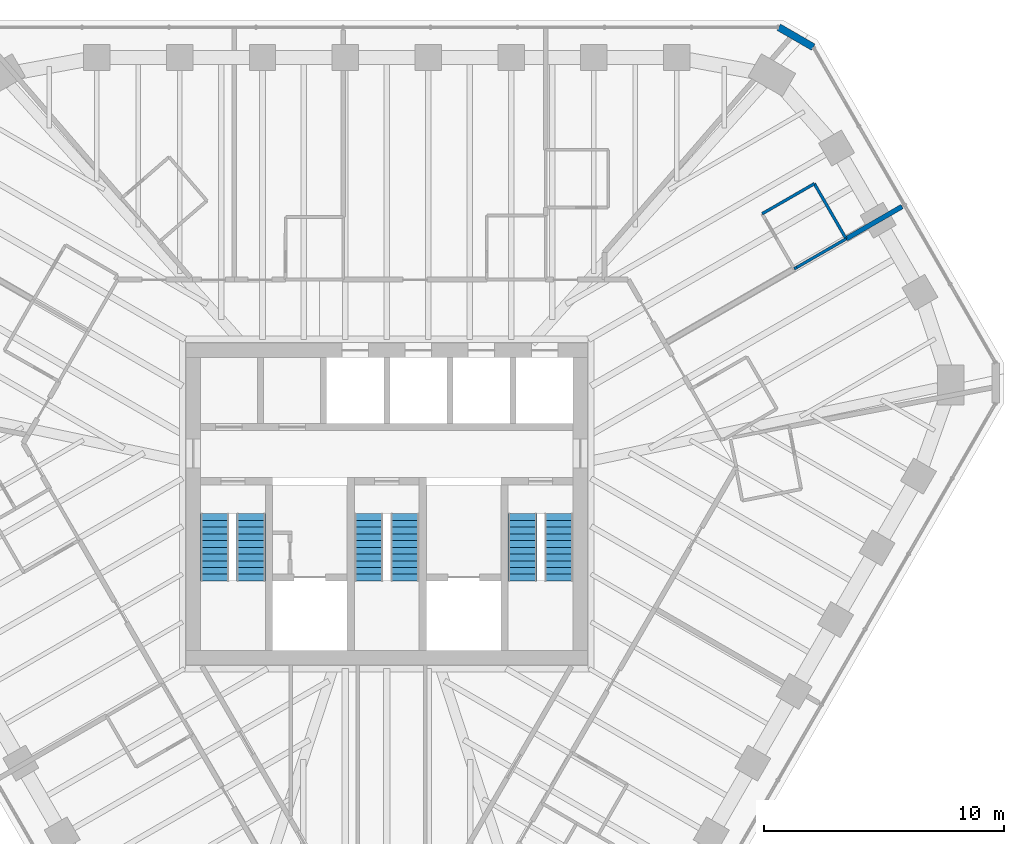
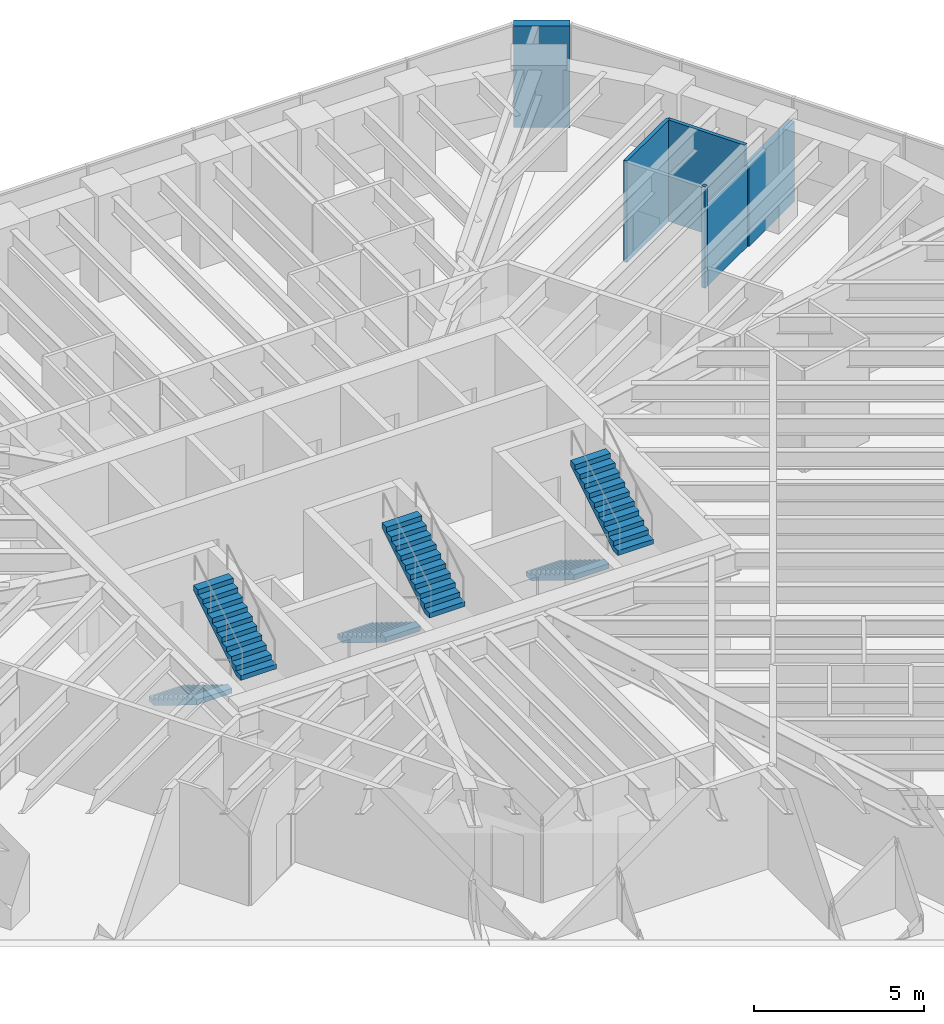
# One storey, part 13 of 14: 6 stair flights, 6 walls, 3 elements without a shape of their own.
"""IFC4 building model written with IfcOpenShell, lengths in metres."""

from ifc_helpers import new_model, si_unit, direction, frame, frame_2d, origin, place, context, subcontext, project, spatial, polyline, rectangle, outline, extrude, material, layer, layer_set, type_object, element, aggregate, save


model = new_model("IFC4")

# Units and contexts
model_context = context("Model", 3, precision=1e-05, world=origin(), true_north=direction((0.0, 1.0)))
body_context = subcontext(model_context, "Body", "Model", "MODEL_VIEW")
ifc_project = project(units=[si_unit("LENGTHUNIT", "METRE"), si_unit("AREAUNIT", "SQUARE_METRE"), si_unit("VOLUMEUNIT", "CUBIC_METRE"), si_unit("PLANEANGLEUNIT", "RADIAN"), si_unit("MASSUNIT", "GRAM", prefix="KILO")], contexts=[model_context])

# Site, building, storey
site_placement = place(None, origin())
site = spatial("IfcSite", under=ifc_project, at=site_placement, CompositionType="ELEMENT")
building_placement = place(site_placement, origin())
building = spatial("IfcBuilding", under=site, at=building_placement, Name="Sandreach Pilgrim Tower", CompositionType="ELEMENT")
storey_placement = place(building_placement, frame((0.0, 0.0, 264.60009765625)))
storey = spatial("IfcBuildingStorey", under=building, at=storey_placement, Name="L66", CompositionType="ELEMENT", Elevation=264.60009765625)

# Walls
ifc_material_1 = material(Name="Moisture-resistant gypsum board on steel studs", Category="steel")
ifc_layer_1 = layer(ifc_material_1, 0.1201171875)
ifc_layer_set_1 = layer_set([ifc_layer_1], Name="Bathroom partition 120")
wall_type_1 = type_object("IfcWallType", Name="Bathroom partition 120", PredefinedType="PARTITIONING", material=ifc_layer_set_1)
wall_1_placement = place(storey_placement, frame((16.93994140625, 9.780029296875, 0.0), z_axis=(0.0, 0.0, 1.0), x_axis=(0.877895572914, 0.478852130681, 0.0)))
element("IfcWall", 1, at=wall_1_placement, inside=storey, type_object=wall_type_1, Name="Bathroom partition L66-121", PredefinedType="PARTITIONING", context=body_context, shape_type="SweptSolid", body=[
    extrude(rectangle(XDim=0.12548828125, YDim=0.1201171875, at=frame_2d((0.062744140625, 0.0))), origin(), (0.0, 0.0, 1.0), 3.639892578125),
])
wall_2_placement = place(storey_placement, frame((17.050048828125, 9.840087890625, 0.0), z_axis=(0.0, 0.0, 1.0), x_axis=(0.865741107356, 0.500492092878, 0.0)))
element("IfcWall", 2, at=wall_2_placement, inside=storey, type_object=wall_type_1, Name="Bathroom partition L66-122", PredefinedType="PARTITIONING", context=body_context, shape_type="SweptSolid", body=[
    extrude(rectangle(XDim=2.3701171875, YDim=0.1201171875, at=frame_2d((1.18505859375, 0.0))), origin(), (0.0, 0.0, 1.0), 2.8779296875),
])
wall_3_placement = place(storey_placement, frame((17.780029296875, 13.320068359375, 0.0), z_axis=(0.0, 0.0, 1.0), x_axis=(-0.86653430447, -0.499117520406, 0.0)))
element("IfcWall", 3, at=wall_3_placement, inside=storey, type_object=wall_type_1, Name="Bathroom partition L66-124", PredefinedType="PARTITIONING", context=body_context, shape_type="SweptSolid", body=[
    extrude(rectangle(XDim=2.50439453125, YDim=0.1201171875, at=frame_2d((1.252197265625, 0.0))), origin(), (0.0, 0.0, 1.0), 3.639892578125),
])
wall_4_placement = place(storey_placement, frame((19.10009765625, 11.030029296875, 0.0), z_axis=(0.0, 0.0, 1.0), x_axis=(-0.499407914056, 0.866366975004, 0.0)))
element("IfcWall", 4, at=wall_4_placement, inside=storey, type_object=wall_type_1, Name="Bathroom partition L66-126", PredefinedType="PARTITIONING", context=body_context, shape_type="SweptSolid", body=[
    extrude(rectangle(XDim=2.643310546875, YDim=0.1201171875, at=frame_2d((1.32177734375, 0.0))), origin(), (0.0, 0.0, 1.0), 3.639892578125),
])
ifc_material_2 = material(Name="Double steel stud acoustic wall, gypsum board", Category="steel")
ifc_layer_2 = layer(ifc_material_2, 0.199951171875)
ifc_layer_set_2 = layer_set([ifc_layer_2], Name="Party wall 200")
wall_type_2 = type_object("IfcWallType", Name="Party wall 200", PredefinedType="PARTITIONING", material=ifc_layer_set_2)
wall_5_placement = place(storey_placement, frame((19.10205078125, 11.0263671875, 0.0), z_axis=(0.0, 0.0, 1.0), x_axis=(0.865741604349, 0.50049123319, 0.0)))
element("IfcWall", 5, at=wall_5_placement, inside=storey, type_object=wall_type_2, Name="Party wall L66-127", PredefinedType="PARTITIONING", context=body_context, shape_type="SweptSolid", body=[
    extrude(rectangle(XDim=2.684326171875, YDim=0.199951171875, at=frame_2d((1.34228515625, 0.0))), origin(), (0.0, 0.0, 1.0), 2.8779296875),
])
ifc_material_3 = material(Name="Terracotta rainscreen on concrete", Category="masonry")
ifc_layer_3 = layer(ifc_material_3, 0.300048828125)
ifc_layer_set_3 = layer_set([ifc_layer_3], Name="Terracotta chamfer pier")
wall_type_3 = type_object("IfcWallType", Name="Terracotta chamfer pier", PredefinedType="SOLIDWALL", material=ifc_layer_set_3)
wall_6_placement = place(storey_placement, frame((16.29833984375, 19.826416015625, 0.0), z_axis=(0.0, 0.0, 1.0), x_axis=(0.866026405774, -0.499998264499, 0.0)))
element("IfcWall", 6, at=wall_6_placement, inside=storey, type_object=wall_type_3, Name="Chamfer pier L66 N", PredefinedType="SOLIDWALL", context=body_context, shape_type="SweptSolid", body=[
    extrude(rectangle(XDim=1.66015625, YDim=0.300048828125, at=frame_2d((0.830078125, 0.0))), origin(), (0.0, 0.0, 1.0), 3.639892578125),
])

# Stair, stair flights
ifc_material_4 = material(Name="Concrete 8000 psi", Category="concrete")
stair_type = type_object("IfcStairType", Name="Core exit stair", PredefinedType="HALF_TURN_STAIR", material=ifc_material_4)
stair_1_placement = place(storey_placement, origin())
stair_1 = element("IfcStair", 7, at=stair_1_placement, inside=storey, type_object=stair_type, Name="Exit stair ST1 L66", PredefinedType="HALF_TURN_STAIR")
ifc_material_5 = material(Name="Concrete 8000 psi", Category="concrete")
stair_flight_type = type_object("IfcStairFlightType", Name="Core stair flight 1200", PredefinedType="STRAIGHT", material=ifc_material_5)
stair_flight_1_placement = place(storey_placement, frame((-7.14990234375, -0.39990234375, 0.0), z_axis=(0.0, 0.0, 1.0), x_axis=(0.0, -1.0, 0.0)))
stair_flight_1 = element("IfcStairFlight", 8, at=stair_flight_1_placement, type_object=stair_flight_type, Name="ST1 flight 1", NumberOfRisers=11, NumberOfTreads=10, PredefinedType="STRAIGHT", RiserHeight=0.172727273, TreadLength=0.28, context=body_context, shape_type="SweptSolid", body=[
    extrude(outline(polyline([(0.0, 0.0), (0.0, 0.172607421875), (0.280029296875, 0.172607421875), (0.280029296875, 0.345458984375), (0.56005859375, 0.345458984375), (0.56005859375, 0.51806640625), (0.840087890625, 0.51806640625), (0.840087890625, 0.69091796875), (1.1201171875, 0.69091796875), (1.1201171875, 0.863525390625), (1.39990234375, 0.863525390625), (1.39990234375, 1.036376953125), (1.679931640625, 1.036376953125), (1.679931640625, 1.208984375), (1.9599609375, 1.208984375), (1.9599609375, 1.3818359375), (2.239990234375, 1.3818359375), (2.239990234375, 1.554443359375), (2.52001953125, 1.554443359375), (2.52001953125, 1.727294921875), (2.800048828125, 1.727294921875), (2.800048828125, 1.89990234375), (2.800048828125, 1.551025390625), (0.285400390625, 0.0), (0.0, 0.0)])), frame((0.0, 0.60009765625, 0.0), z_axis=(0.0, -1.0, 0.0), x_axis=(1.0, 0.0, 0.0)), (0.0, 0.0, 1.0), 1.199951171875),
])
stair_flight_2_placement = place(storey_placement, frame((-5.64990234375, -3.199951171875, 1.89990234375), z_axis=(0.0, 0.0, 1.0), x_axis=(0.0, 1.0, 0.0)))
stair_flight_2 = element("IfcStairFlight", 9, at=stair_flight_2_placement, type_object=stair_flight_type, Name="ST1 flight 2", NumberOfRisers=11, NumberOfTreads=10, PredefinedType="STRAIGHT", RiserHeight=0.172727273, TreadLength=0.28, context=body_context, shape_type="SweptSolid", body=[
    extrude(outline(polyline([(0.0, 0.0), (0.0, 0.172607421875), (0.280029296875, 0.172607421875), (0.280029296875, 0.345458984375), (0.56005859375, 0.345458984375), (0.56005859375, 0.51806640625), (0.840087890625, 0.51806640625), (0.840087890625, 0.69091796875), (1.1201171875, 0.69091796875), (1.1201171875, 0.863525390625), (1.39990234375, 0.863525390625), (1.39990234375, 1.036376953125), (1.679931640625, 1.036376953125), (1.679931640625, 1.208984375), (1.9599609375, 1.208984375), (1.9599609375, 1.3818359375), (2.239990234375, 1.3818359375), (2.239990234375, 1.554443359375), (2.52001953125, 1.554443359375), (2.52001953125, 1.727294921875), (2.800048828125, 1.727294921875), (2.800048828125, 1.89990234375), (2.800048828125, 1.551025390625), (0.285400390625, 0.0), (0.0, 0.0)])), frame((0.0, 0.60009765625, 0.0), z_axis=(0.0, -1.0, 0.0), x_axis=(1.0, 0.0, 0.0)), (0.0, 0.0, 1.0), 1.199951171875),
])
aggregate(stair_1, [stair_flight_1, stair_flight_2])

stair_2_placement = place(storey_placement, origin())
stair_2 = element("IfcStair", 10, at=stair_2_placement, inside=storey, type_object=stair_type, Name="Exit stair ST3 L66", PredefinedType="HALF_TURN_STAIR")
stair_flight_3_placement = place(storey_placement, frame((-0.75, -0.39990234375, 0.0), z_axis=(0.0, 0.0, 1.0), x_axis=(0.0, -1.0, 0.0)))
stair_flight_3 = element("IfcStairFlight", 11, at=stair_flight_3_placement, type_object=stair_flight_type, Name="ST3 flight 1", NumberOfRisers=11, NumberOfTreads=10, PredefinedType="STRAIGHT", RiserHeight=0.172727273, TreadLength=0.28, context=body_context, shape_type="SweptSolid", body=[
    extrude(outline(polyline([(0.0, 0.0), (0.0, 0.172607421875), (0.280029296875, 0.172607421875), (0.280029296875, 0.345458984375), (0.56005859375, 0.345458984375), (0.56005859375, 0.51806640625), (0.840087890625, 0.51806640625), (0.840087890625, 0.69091796875), (1.1201171875, 0.69091796875), (1.1201171875, 0.863525390625), (1.39990234375, 0.863525390625), (1.39990234375, 1.036376953125), (1.679931640625, 1.036376953125), (1.679931640625, 1.208984375), (1.9599609375, 1.208984375), (1.9599609375, 1.3818359375), (2.239990234375, 1.3818359375), (2.239990234375, 1.554443359375), (2.52001953125, 1.554443359375), (2.52001953125, 1.727294921875), (2.800048828125, 1.727294921875), (2.800048828125, 1.89990234375), (2.800048828125, 1.551025390625), (0.285400390625, 0.0), (0.0, 0.0)])), frame((0.0, 0.60009765625, 0.0), z_axis=(0.0, -1.0, 0.0), x_axis=(1.0, 0.0, 0.0)), (0.0, 0.0, 1.0), 1.199951171875),
])
stair_flight_4_placement = place(storey_placement, frame((0.75, -3.199951171875, 1.89990234375), z_axis=(0.0, 0.0, 1.0), x_axis=(0.0, 1.0, 0.0)))
stair_flight_4 = element("IfcStairFlight", 12, at=stair_flight_4_placement, type_object=stair_flight_type, Name="ST3 flight 2", NumberOfRisers=11, NumberOfTreads=10, PredefinedType="STRAIGHT", RiserHeight=0.172727273, TreadLength=0.28, context=body_context, shape_type="SweptSolid", body=[
    extrude(outline(polyline([(0.0, 0.0), (0.0, 0.172607421875), (0.280029296875, 0.172607421875), (0.280029296875, 0.345458984375), (0.56005859375, 0.345458984375), (0.56005859375, 0.51806640625), (0.840087890625, 0.51806640625), (0.840087890625, 0.69091796875), (1.1201171875, 0.69091796875), (1.1201171875, 0.863525390625), (1.39990234375, 0.863525390625), (1.39990234375, 1.036376953125), (1.679931640625, 1.036376953125), (1.679931640625, 1.208984375), (1.9599609375, 1.208984375), (1.9599609375, 1.3818359375), (2.239990234375, 1.3818359375), (2.239990234375, 1.554443359375), (2.52001953125, 1.554443359375), (2.52001953125, 1.727294921875), (2.800048828125, 1.727294921875), (2.800048828125, 1.89990234375), (2.800048828125, 1.551025390625), (0.285400390625, 0.0), (0.0, 0.0)])), frame((0.0, 0.60009765625, 0.0), z_axis=(0.0, -1.0, 0.0), x_axis=(1.0, 0.0, 0.0)), (0.0, 0.0, 1.0), 1.199951171875),
])
aggregate(stair_2, [stair_flight_3, stair_flight_4])

stair_3_placement = place(storey_placement, origin())
stair_3 = element("IfcStair", 13, at=stair_3_placement, inside=storey, type_object=stair_type, Name="Exit stair ST2 L66", PredefinedType="HALF_TURN_STAIR")
stair_flight_5_placement = place(storey_placement, frame((5.64990234375, -0.39990234375, 0.0), z_axis=(0.0, 0.0, 1.0), x_axis=(0.0, -1.0, 0.0)))
stair_flight_5 = element("IfcStairFlight", 14, at=stair_flight_5_placement, type_object=stair_flight_type, Name="ST2 flight 1", NumberOfRisers=11, NumberOfTreads=10, PredefinedType="STRAIGHT", RiserHeight=0.172727273, TreadLength=0.28, context=body_context, shape_type="SweptSolid", body=[
    extrude(outline(polyline([(0.0, 0.0), (0.0, 0.172607421875), (0.280029296875, 0.172607421875), (0.280029296875, 0.345458984375), (0.56005859375, 0.345458984375), (0.56005859375, 0.51806640625), (0.840087890625, 0.51806640625), (0.840087890625, 0.69091796875), (1.1201171875, 0.69091796875), (1.1201171875, 0.863525390625), (1.39990234375, 0.863525390625), (1.39990234375, 1.036376953125), (1.679931640625, 1.036376953125), (1.679931640625, 1.208984375), (1.9599609375, 1.208984375), (1.9599609375, 1.3818359375), (2.239990234375, 1.3818359375), (2.239990234375, 1.554443359375), (2.52001953125, 1.554443359375), (2.52001953125, 1.727294921875), (2.800048828125, 1.727294921875), (2.800048828125, 1.89990234375), (2.800048828125, 1.551025390625), (0.285400390625, 0.0), (0.0, 0.0)])), frame((0.0, 0.60009765625, 0.0), z_axis=(0.0, -1.0, 0.0), x_axis=(1.0, 0.0, 0.0)), (0.0, 0.0, 1.0), 1.199951171875),
])
stair_flight_6_placement = place(storey_placement, frame((7.14990234375, -3.199951171875, 1.89990234375), z_axis=(0.0, 0.0, 1.0), x_axis=(0.0, 1.0, 0.0)))
stair_flight_6 = element("IfcStairFlight", 15, at=stair_flight_6_placement, type_object=stair_flight_type, Name="ST2 flight 2", NumberOfRisers=11, NumberOfTreads=10, PredefinedType="STRAIGHT", RiserHeight=0.172727273, TreadLength=0.28, context=body_context, shape_type="SweptSolid", body=[
    extrude(outline(polyline([(0.0, 0.0), (0.0, 0.172607421875), (0.280029296875, 0.172607421875), (0.280029296875, 0.345458984375), (0.56005859375, 0.345458984375), (0.56005859375, 0.51806640625), (0.840087890625, 0.51806640625), (0.840087890625, 0.69091796875), (1.1201171875, 0.69091796875), (1.1201171875, 0.863525390625), (1.39990234375, 0.863525390625), (1.39990234375, 1.036376953125), (1.679931640625, 1.036376953125), (1.679931640625, 1.208984375), (1.9599609375, 1.208984375), (1.9599609375, 1.3818359375), (2.239990234375, 1.3818359375), (2.239990234375, 1.554443359375), (2.52001953125, 1.554443359375), (2.52001953125, 1.727294921875), (2.800048828125, 1.727294921875), (2.800048828125, 1.89990234375), (2.800048828125, 1.551025390625), (0.285400390625, 0.0), (0.0, 0.0)])), frame((0.0, 0.60009765625, 0.0), z_axis=(0.0, -1.0, 0.0), x_axis=(1.0, 0.0, 0.0)), (0.0, 0.0, 1.0), 1.199951171875),
])
aggregate(stair_3, [stair_flight_5, stair_flight_6])

save(model, "model.ifc")
